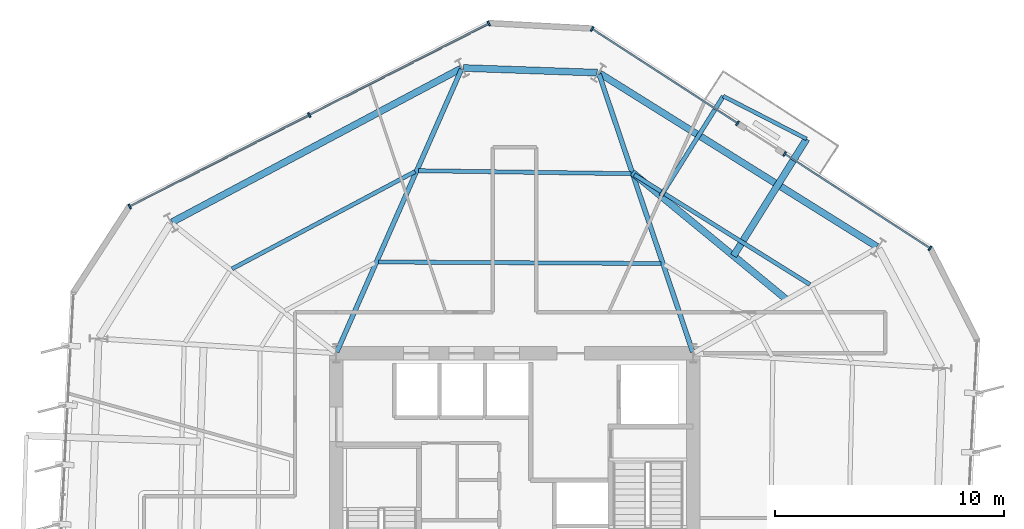
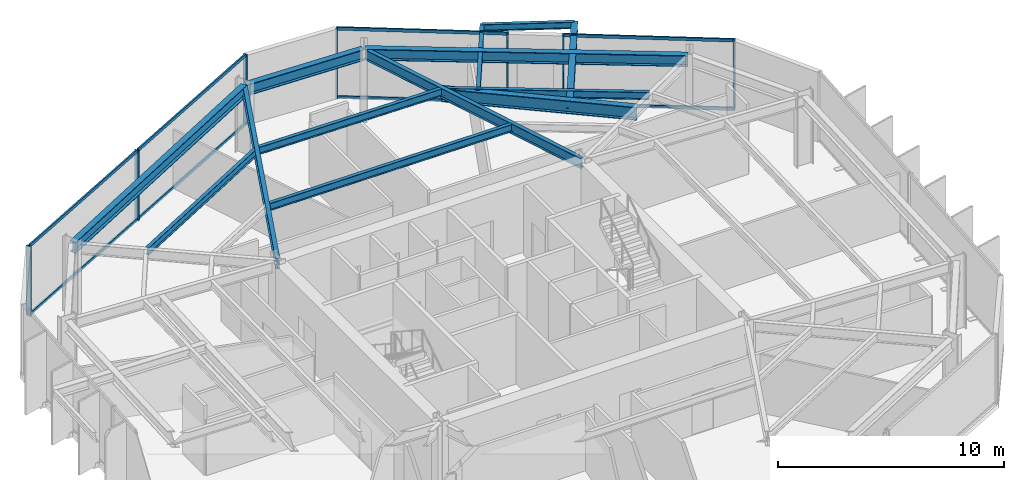
# One storey, part 5 of 10: 15 members, 13 beams, 3 elements without a shape of their own.
"""IFC4 building model written with IfcOpenShell, lengths in metres."""

import ifcopenshell
import ifcopenshell.guid

model = None  # the IFC model being written
_history = None  # IfcOwnerHistory: only IFC2X3 demands one
_inside = {}  # id of a spatial element -> (the spatial element, [elements in it])
_under = {}  # id of a project, library or spatial element -> (it, [spatial elements below it])
_declared = {}  # id of a project -> (the project, [libraries it declares])
_typed = {}  # id of a type object -> (the type object, [elements of that type])
_made_of = {}  # id of a material, layer set ... -> (it, [elements and type objects made of it])


def new_model(schema):
    """Start an empty IFC model of exactly this schema.

    Asked for "IFC4X3", IfcOpenShell would pick the latest addendum, in which some entities
    have other attributes; the version numbers below select the first issue.
    IFC2X3 requires an IfcOwnerHistory on every rooted entity: one is made here for all.
    """
    global model, _history
    if schema == "IFC4X3":
        model = ifcopenshell.file(schema_version=(4, 3, 0, 0))
    else:
        model = ifcopenshell.file(schema=schema)
    _inside.clear()
    _under.clear()
    _declared.clear()
    _typed.clear()
    _made_of.clear()
    _history = None
    if model.schema == "IFC2X3":
        org = make("IfcOrganization", Name="unknown")
        user = make(
            "IfcPersonAndOrganization",
            ThePerson=make("IfcPerson", FamilyName="unknown"),
            TheOrganization=org,
        )
        app = make(
            "IfcApplication",
            ApplicationDeveloper=org,
            Version="unknown",
            ApplicationFullName="unknown",
            ApplicationIdentifier="unknown",
        )
        _history = make(
            "IfcOwnerHistory",
            OwningUser=user,
            OwningApplication=app,
            ChangeAction="ADDED",
            CreationDate=0,
        )
    return model


def make(cls, **values):
    """One entity of the class cls with the attributes given. An attribute that is None is left unset."""
    return model.create_entity(
        cls, **{name: value for name, value in values.items() if value is not None}
    )


def rooted(cls, **values):
    """An entity with a GlobalId (a new one), such as an element, a storey or a relation."""
    return make(cls, GlobalId=ifcopenshell.guid.new(), OwnerHistory=_history, **values)


def si_unit(unit_type, name, prefix=None):
    """IfcSIUnit, for example si_unit("LENGTHUNIT", "METRE", prefix="MILLI")."""
    return make("IfcSIUnit", UnitType=unit_type, Prefix=prefix, Name=name)


def assignment(units):
    """IfcUnitAssignment: the units of a project."""
    return None if units is None else make("IfcUnitAssignment", Units=units)


def point(xyz):
    """IfcCartesianPoint."""
    return None if xyz is None else make("IfcCartesianPoint", Coordinates=xyz)


def direction(xyz):
    """IfcDirection."""
    return None if xyz is None else make("IfcDirection", DirectionRatios=xyz)


def frame(location, z_axis=None, x_axis=None):
    """IfcAxis2Placement3D, a coordinate frame: its origin and axes. An axis left out is left unset."""
    return make(
        "IfcAxis2Placement3D",
        Location=point(location),
        Axis=direction(z_axis),
        RefDirection=direction(x_axis),
    )


def frame_2d(location, x_axis=None):
    """IfcAxis2Placement2D, a coordinate frame in the plane: its origin and x axis."""
    return make(
        "IfcAxis2Placement2D", Location=point(location), RefDirection=direction(x_axis)
    )


def origin():
    """The frame at (0, 0, 0) with its axes left unset."""
    return frame((0.0, 0.0, 0.0))


def origin_2d():
    """The frame at (0, 0) in the plane with its x axis left unset."""
    return frame_2d((0.0, 0.0))


def place(relative_to, where):
    """IfcLocalPlacement: puts the frame where relative to a parent placement (None: the world)."""
    return make(
        "IfcLocalPlacement", PlacementRelTo=relative_to, RelativePlacement=where
    )


def context(
    kind, dimensions, precision=None, world=None, true_north=None, identifier=None
):
    """IfcGeometricRepresentationContext, for example the 3D "Model" context."""
    return make(
        "IfcGeometricRepresentationContext",
        ContextIdentifier=identifier,
        ContextType=kind,
        CoordinateSpaceDimension=dimensions,
        Precision=precision,
        WorldCoordinateSystem=world,
        TrueNorth=true_north,
    )


def subcontext(parent, identifier, kind, view, scale=None):
    """IfcGeometricRepresentationSubContext, for example "Body" below "Model"."""
    return make(
        "IfcGeometricRepresentationSubContext",
        ContextIdentifier=identifier,
        ContextType=kind,
        ParentContext=parent,
        TargetScale=scale,
        TargetView=view,
    )


def project(units=None, contexts=None):
    """IfcProject with its units and contexts."""
    return rooted(
        "IfcProject",
        Name="project",
        RepresentationContexts=contexts,
        UnitsInContext=assignment(units),
    )


def spatial(cls, under=None, at=None, **own):
    """A site, building, storey or space (cls), placed at a placement, below another one or the project."""
    s = rooted(cls, ObjectPlacement=at, **own)
    if under is not None:
        _under.setdefault(under.id(), (under, []))[1].append(s)
    return s


def profile(cls, at=None, kind="AREA", **sizes):
    """A parametric profile (cls). Its sizes go by their IFC names, for example OverallWidth=200.0."""
    return make(cls, ProfileType=kind, Position=at, **sizes)


def rectangle(**sizes):
    """IfcRectangleProfileDef."""
    return profile("IfcRectangleProfileDef", **sizes)


def i_section(**sizes):
    """IfcIShapeProfileDef."""
    return profile("IfcIShapeProfileDef", **sizes)


def extrude(swept, where, along, depth):
    """IfcExtrudedAreaSolid: the profile swept, set in the frame where, extruded along a direction by depth."""
    return make(
        "IfcExtrudedAreaSolid",
        SweptArea=swept,
        Position=where,
        ExtrudedDirection=direction(along),
        Depth=depth,
    )


def shape(context_of_items, identifier, shape_type, items):
    """IfcShapeRepresentation: the items that make up one representation, for example the "Body"."""
    return make(
        "IfcShapeRepresentation",
        ContextOfItems=context_of_items,
        RepresentationIdentifier=identifier,
        RepresentationType=shape_type,
        Items=items,
    )


def material(Name=None, Category=None):
    """IfcMaterial."""
    return make("IfcMaterial", Name=Name, Category=Category)


def layer(
    of_material, thickness, ventilated=None, Name=None, Category=None, Priority=None
):
    """IfcMaterialLayer: one layer of a wall or slab, of a material (None: an air gap)."""
    return make(
        "IfcMaterialLayer",
        Material=of_material,
        LayerThickness=thickness,
        IsVentilated=ventilated,
        Name=Name,
        Category=Category,
        Priority=Priority,
    )


def layer_set(layers, Name=None):
    """IfcMaterialLayerSet."""
    return make("IfcMaterialLayerSet", MaterialLayers=layers, LayerSetName=Name)


def material_profile(
    of_material, cross_section, Name=None, Category=None, Priority=None
):
    """IfcMaterialProfile: a cross section and its material."""
    return make(
        "IfcMaterialProfile",
        Name=Name,
        Material=of_material,
        Profile=cross_section,
        Priority=Priority,
        Category=Category,
    )


def profile_set(profiles, Name=None, composite=None):
    """IfcMaterialProfileSet."""
    return make(
        "IfcMaterialProfileSet",
        Name=Name,
        MaterialProfiles=profiles,
        CompositeProfile=composite,
    )


def made_of(thing, what):
    """Note that an element or type object is made of a material, layer set ...; save() writes the relation."""
    if what is not None:
        _made_of.setdefault(what.id(), (what, []))[1].append(thing)
    return thing


def type_object(cls, material=None, **own):
    """A type object (cls), such as IfcWallType, which elements share."""
    return made_of(rooted(cls, **own), material)


def element(
    cls,
    number,
    at=None,
    inside=None,
    cuts=None,
    type_object=None,
    material=None,
    context=None,
    identifier="Body",
    shape_type=None,
    held_by="IfcProductDefinitionShape",
    body=None,
    shapes=None,
    **own,
):
    """One element of the class cls, such as IfcWall. Its Tag is "e" and its number.

    at: its placement. inside: the storey or other place that contains it. cuts: it is an
    opening in that element (IfcRelVoidsElement). A single representation is given by context,
    identifier, shape_type and body (its items); several are given by shapes. held_by: the class
    of the entity that holds the representations. save() writes the other relations.
    """
    e = rooted(cls, Tag="e%d" % number, ObjectPlacement=at, **own)
    if body is not None:
        shapes = [shape(context, identifier, shape_type, body)]
    if shapes is not None:
        e.Representation = make(held_by, Representations=shapes)
    if inside is not None:
        _inside.setdefault(inside.id(), (inside, []))[1].append(e)
    if cuts is not None:
        rooted(
            "IfcRelVoidsElement", RelatingBuildingElement=cuts, RelatedOpeningElement=e
        )
    if type_object is not None:
        _typed.setdefault(type_object.id(), (type_object, []))[1].append(e)
    return made_of(e, material)


def aggregate(whole, parts):
    """IfcRelAggregates: a whole, such as a stair, and the parts it consists of."""
    return rooted("IfcRelAggregates", RelatingObject=whole, RelatedObjects=parts)


def save(model, path):
    """Write the relations noted so far, then the file.

    IfcRelAggregates (storeys below a building ...), IfcRelContainedInSpatialStructure (elements
    in a storey), IfcRelDefinesByType, IfcRelAssociatesMaterial and IfcRelDeclares: one each for
    every whole, place, type object, material and project.
    """
    for whole, parts in _under.values():
        aggregate(whole, parts)
    for where, things in _inside.values():
        rooted(
            "IfcRelContainedInSpatialStructure",
            RelatedElements=things,
            RelatingStructure=where,
        )
    for kind, things in _typed.values():
        rooted("IfcRelDefinesByType", RelatedObjects=things, RelatingType=kind)
    for what, things in _made_of.values():
        rooted("IfcRelAssociatesMaterial", RelatedObjects=things, RelatingMaterial=what)
    for by, libraries in _declared.values():
        rooted("IfcRelDeclares", RelatingContext=by, RelatedDefinitions=libraries)
    model.write(path)


model = new_model("IFC4")

# Units and contexts
model_context = context("Model", 3, precision=1e-05, world=origin(), true_north=direction((0.0, 1.0)))
body_context = subcontext(model_context, "Body", "Model", "MODEL_VIEW")
ifc_project = project(units=[si_unit("LENGTHUNIT", "METRE"), si_unit("AREAUNIT", "SQUARE_METRE"), si_unit("VOLUMEUNIT", "CUBIC_METRE"), si_unit("PLANEANGLEUNIT", "RADIAN"), si_unit("MASSUNIT", "GRAM", prefix="KILO")], contexts=[model_context])

# Site, building, storey
site_placement = place(None, origin())
site = spatial("IfcSite", under=ifc_project, at=site_placement, CompositionType="ELEMENT")
building_placement = place(site_placement, origin())
building = spatial("IfcBuilding", under=site, at=building_placement, Name="Kranzbogen Civic Tower", CompositionType="ELEMENT")
storey_placement = place(building_placement, frame((0.0, 0.0, 130.39990234375)))
storey = spatial("IfcBuildingStorey", under=building, at=storey_placement, Name="L31", CompositionType="ELEMENT", Elevation=130.39990234375)

# Beam
ifc_material_1 = material(Name="Steel S355", Category="steel")
ifc_material_profile_1 = material_profile(ifc_material_1, i_section(OverallWidth=0.18994140625, OverallDepth=0.449951171875, WebThickness=0.009521484375, FlangeThickness=0.0146484375, at=origin_2d()), Name="IPE 450")
ifc_profile_set_1 = profile_set([ifc_material_profile_1], Name="Steel S355")
beam_type_1 = type_object("IfcBeamType", Name="Braced Terrace Edge Beam IPE 450", PredefinedType="BEAM", material=ifc_profile_set_1)
beam_1_placement = place(storey_placement, frame((31.388916015625, 39.073974609375, 3.525146484375), z_axis=(0.52998614975, 0.848006297779, 0.0), x_axis=(-0.848006297779, 0.52998614975, 0.0)))
element("IfcBeam", 1, at=beam_1_placement, inside=storey, type_object=beam_type_1, Name="L32 back-spanned terrace beam L32-TB1-2", PredefinedType="BEAM", context=body_context, shape_type="SweptSolid", body=[
    extrude(i_section(OverallWidth=0.18994140625, OverallDepth=0.449951171875, WebThickness=0.009521484375, FlangeThickness=0.0146484375, at=origin_2d()), origin(), (0.0, 0.0, 1.0), 5.1474609375),
])

# Curtain wall, members
ifc_material_2 = material(Name="Pale Anodised Aluminium", Category="aluminium")
ifc_layer = layer(ifc_material_2, 0.219970703125, Name="Pale Anodised Aluminium")
ifc_layer_set = layer_set([ifc_layer], Name="Pale Anodised Aluminium")
curtain_wall_type = type_object("IfcCurtainWallType", Name="Zone 2 Stick Curtain Wall System CW-03", PredefinedType="USERDEFINED", material=ifc_layer_set)
curtain_wall_1_placement = place(storey_placement, origin())
curtain_wall_1 = element("IfcCurtainWall", 2, at=curtain_wall_1_placement, inside=storey, type_object=curtain_wall_type, Name="L31 curtain wall CW-L31-F1-S1", ObjectType="STICK CURTAIN WALL", PredefinedType="USERDEFINED")
ifc_material_profile_2 = material_profile(ifc_material_2, rectangle(XDim=0.074951171875, YDim=0.219970703125, at=origin_2d()), Name="ALU-M 75x220")
ifc_profile_set_2 = profile_set([ifc_material_profile_2], Name="Pale Anodised Aluminium")
member_type_1 = type_object("IfcMemberType", Name="Curtain Wall Mullion ALU-M 75x220", PredefinedType="MULLION", material=ifc_profile_set_2)
member_1_placement = place(storey_placement, frame((43.15185546875, 36.787353515625, 0.0), z_axis=(0.0, 0.0, 1.0), x_axis=(-0.838641092332, 0.544684420791, 0.0)))
member_1 = element("IfcMember", 3, at=member_1_placement, type_object=member_type_1, Name="CW-03 mullion 1", PredefinedType="MULLION", context=body_context, shape_type="SweptSolid", body=[
    extrude(rectangle(XDim=0.074951171875, YDim=0.219970703125, at=origin_2d()), origin(), (0.0, 0.0, 1.0), 3.760009765625),
])
member_2_placement = place(storey_placement, frame((36.800048828125, 40.91259765625, 0.0), z_axis=(0.0, 0.0, 1.0), x_axis=(-0.838641092332, 0.544684420791, 0.0)))
member_2 = element("IfcMember", 4, at=member_2_placement, type_object=member_type_1, Name="CW-03 mullion 2", PredefinedType="MULLION", context=body_context, shape_type="SweptSolid", body=[
    extrude(rectangle(XDim=0.074951171875, YDim=0.219970703125, at=origin_2d()), origin(), (0.0, 0.0, 1.0), 3.760009765625),
])

curtain_wall_2_placement = place(storey_placement, origin())
curtain_wall_2 = element("IfcCurtainWall", 5, at=curtain_wall_2_placement, inside=storey, type_object=curtain_wall_type, Name="L31 curtain wall CW-L31-F1-S2", ObjectType="STICK CURTAIN WALL", PredefinedType="USERDEFINED")
member_3_placement = place(storey_placement, frame((34.73681640625, 42.25244140625, 0.0), z_axis=(0.0, 0.0, 1.0), x_axis=(-0.838641092332, 0.544684420791, 0.0)))
member_3 = element("IfcMember", 6, at=member_3_placement, type_object=member_type_1, Name="CW-03 mullion 1", PredefinedType="MULLION", context=body_context, shape_type="SweptSolid", body=[
    extrude(rectangle(XDim=0.074951171875, YDim=0.219970703125, at=origin_2d()), origin(), (0.0, 0.0, 1.0), 3.760009765625),
])
member_4_placement = place(storey_placement, frame((28.38525390625, 46.377685546875, 0.0), z_axis=(0.0, 0.0, 1.0), x_axis=(-0.838641092332, 0.544684420791, 0.0)))
member_4 = element("IfcMember", 7, at=member_4_placement, type_object=member_type_1, Name="CW-03 mullion 2", PredefinedType="MULLION", context=body_context, shape_type="SweptSolid", body=[
    extrude(rectangle(XDim=0.074951171875, YDim=0.219970703125, at=origin_2d()), origin(), (0.0, 0.0, 1.0), 3.760009765625),
])

curtain_wall_3_placement = place(storey_placement, origin())
curtain_wall_3 = element("IfcCurtainWall", 8, at=curtain_wall_3_placement, inside=storey, type_object=curtain_wall_type, Name="L31 curtain wall CW-L31-F2", ObjectType="STICK CURTAIN WALL", PredefinedType="USERDEFINED")
member_5_placement = place(storey_placement, frame((23.8681640625, 46.614501953125, 0.0), z_axis=(0.0, 0.0, 1.0), x_axis=(-0.891017035872, -0.453969868809, 0.0)))
member_5 = element("IfcMember", 9, at=member_5_placement, type_object=member_type_1, Name="CW-03 mullion 1", PredefinedType="MULLION", context=body_context, shape_type="SweptSolid", body=[
    extrude(rectangle(XDim=0.074951171875, YDim=0.219970703125, at=origin_2d()), origin(), (0.0, 0.0, 1.0), 3.760009765625),
])
member_6_placement = place(storey_placement, frame((16.0234375, 42.617431640625, 0.0), z_axis=(0.0, 0.0, 1.0), x_axis=(-0.891017035872, -0.453969868809, 0.0)))
member_6 = element("IfcMember", 10, at=member_6_placement, type_object=member_type_1, Name="CW-03 mullion 2", PredefinedType="MULLION", context=body_context, shape_type="SweptSolid", body=[
    extrude(rectangle(XDim=0.074951171875, YDim=0.219970703125, at=origin_2d()), origin(), (0.0, 0.0, 1.0), 3.760009765625),
])
member_7_placement = place(storey_placement, frame((8.1787109375, 38.62060546875, 0.0), z_axis=(0.0, 0.0, 1.0), x_axis=(-0.891017035872, -0.453969868809, 0.0)))
member_7 = element("IfcMember", 11, at=member_7_placement, type_object=member_type_1, Name="CW-03 mullion 3", PredefinedType="MULLION", context=body_context, shape_type="SweptSolid", body=[
    extrude(rectangle(XDim=0.074951171875, YDim=0.219970703125, at=origin_2d()), origin(), (0.0, 0.0, 1.0), 3.760009765625),
])

# Member
ifc_material_profile_3 = material_profile(ifc_material_2, rectangle(XDim=0.074951171875, YDim=0.1650390625, at=origin_2d()), Name="ALU-T 75x165")
ifc_profile_set_3 = profile_set([ifc_material_profile_3], Name="Pale Anodised Aluminium")
member_type_2 = type_object("IfcMemberType", Name="Curtain Wall Transom ALU-T 75x165", PredefinedType="USERDEFINED", material=ifc_profile_set_3)
member_8_placement = place(storey_placement, frame((43.126708984375, 36.8037109375, 0.030029296875), z_axis=(-0.838643999637, 0.544679944437, 0.0), x_axis=(-0.544679944437, -0.838643999637, 0.0)))
member_8 = element("IfcMember", 12, at=member_8_placement, type_object=member_type_2, Name="CW-03 transom 1.1", ObjectType="TRANSOM", PredefinedType="USERDEFINED", context=body_context, shape_type="SweptSolid", body=[
    extrude(rectangle(XDim=0.074951171875, YDim=0.1650390625, at=origin_2d()), origin(), (0.0, 0.0, 1.0), 7.513671875),
])

member_9_placement = place(storey_placement, frame((43.126708984375, 36.8037109375, 3.72998046875), z_axis=(-0.838643999637, 0.544679944437, 0.0), x_axis=(-0.544679944437, -0.838643999637, 0.0)))
member_9 = element("IfcMember", 13, at=member_9_placement, type_object=member_type_2, Name="CW-03 transom 1.2", ObjectType="TRANSOM", PredefinedType="USERDEFINED", context=body_context, shape_type="SweptSolid", body=[
    extrude(rectangle(XDim=0.074951171875, YDim=0.1650390625, at=origin_2d()), origin(), (0.0, 0.0, 1.0), 7.513671875),
])

aggregate(curtain_wall_1, [member_1, member_2, member_8, member_9])

member_10_placement = place(storey_placement, frame((34.711669921875, 42.268798828125, 0.030029296875), z_axis=(-0.838643999637, 0.544679944437, 0.0), x_axis=(-0.544679944437, -0.838643999637, 0.0)))
member_10 = element("IfcMember", 14, at=member_10_placement, type_object=member_type_2, Name="CW-03 transom 1.1", ObjectType="TRANSOM", PredefinedType="USERDEFINED", context=body_context, shape_type="SweptSolid", body=[
    extrude(rectangle(XDim=0.074951171875, YDim=0.1650390625, at=origin_2d()), origin(), (0.0, 0.0, 1.0), 7.513671875),
])

member_11_placement = place(storey_placement, frame((34.711669921875, 42.268798828125, 3.72998046875), z_axis=(-0.838643999637, 0.544679944437, 0.0), x_axis=(-0.544679944437, -0.838643999637, 0.0)))
member_11 = element("IfcMember", 15, at=member_11_placement, type_object=member_type_2, Name="CW-03 transom 1.2", ObjectType="TRANSOM", PredefinedType="USERDEFINED", context=body_context, shape_type="SweptSolid", body=[
    extrude(rectangle(XDim=0.074951171875, YDim=0.1650390625, at=origin_2d()), origin(), (0.0, 0.0, 1.0), 7.513671875),
])

aggregate(curtain_wall_2, [member_3, member_4, member_10, member_11])

member_12_placement = place(storey_placement, frame((23.841552734375, 46.600830078125, 0.030029296875), z_axis=(-0.891012009224, -0.45397973459, 0.0), x_axis=(0.45397973459, -0.891012009224, 0.0)))
member_12 = element("IfcMember", 16, at=member_12_placement, type_object=member_type_2, Name="CW-03 transom 1.1", ObjectType="TRANSOM", PredefinedType="USERDEFINED", context=body_context, shape_type="SweptSolid", body=[
    extrude(rectangle(XDim=0.074951171875, YDim=0.1650390625, at=origin_2d()), origin(), (0.0, 0.0, 1.0), 8.744384765625),
])

member_13_placement = place(storey_placement, frame((23.841552734375, 46.600830078125, 3.72998046875), z_axis=(-0.891012009224, -0.45397973459, 0.0), x_axis=(0.45397973459, -0.891012009224, 0.0)))
member_13 = element("IfcMember", 17, at=member_13_placement, type_object=member_type_2, Name="CW-03 transom 1.2", ObjectType="TRANSOM", PredefinedType="USERDEFINED", context=body_context, shape_type="SweptSolid", body=[
    extrude(rectangle(XDim=0.074951171875, YDim=0.1650390625, at=origin_2d()), origin(), (0.0, 0.0, 1.0), 8.744384765625),
])

member_14_placement = place(storey_placement, frame((15.996826171875, 42.603759765625, 0.030029296875), z_axis=(-0.891023302784, -0.453957568388, 0.0), x_axis=(0.453957568388, -0.891023302784, 0.0)))
member_14 = element("IfcMember", 18, at=member_14_placement, type_object=member_type_2, Name="CW-03 transom 2.1", ObjectType="TRANSOM", PredefinedType="USERDEFINED", context=body_context, shape_type="SweptSolid", body=[
    extrude(rectangle(XDim=0.074951171875, YDim=0.1650390625, at=origin_2d()), origin(), (0.0, 0.0, 1.0), 8.744140625),
])

member_15_placement = place(storey_placement, frame((15.996826171875, 42.603759765625, 3.72998046875), z_axis=(-0.891023302784, -0.453957568388, 0.0), x_axis=(0.453957568388, -0.891023302784, 0.0)))
member_15 = element("IfcMember", 19, at=member_15_placement, type_object=member_type_2, Name="CW-03 transom 2.2", ObjectType="TRANSOM", PredefinedType="USERDEFINED", context=body_context, shape_type="SweptSolid", body=[
    extrude(rectangle(XDim=0.074951171875, YDim=0.1650390625, at=origin_2d()), origin(), (0.0, 0.0, 1.0), 8.744140625),
])

aggregate(curtain_wall_3, [member_5, member_6, member_7, member_12, member_13, member_14, member_15])

# Beams
ifc_material_profile_4 = material_profile(ifc_material_1, i_section(OverallWidth=0.300048828125, OverallDepth=0.5, WebThickness=0.014404296875, FlangeThickness=0.028076171875, at=origin_2d()), Name="HEB 500")
ifc_profile_set_4 = profile_set([ifc_material_profile_4], Name="Steel S355")
beam_type_2 = type_object("IfcBeamType", Name="Perimeter Tube Spandrel Beam HEB 500", PredefinedType="SPANDREL", material=ifc_profile_set_4)
beam_2_placement = place(storey_placement, frame((34.56591796875, 36.4599609375, 3.5), z_axis=(0.529988012662, 0.848005133495, 0.0), x_axis=(-0.848005133495, 0.529988012662, 0.0)))
element("IfcBeam", 20, at=beam_2_placement, inside=storey, type_object=beam_type_2, Name="L32 back-spanned terrace beam L32-TB1-1", PredefinedType="SPANDREL", context=body_context, shape_type="SweptSolid", body=[
    extrude(i_section(OverallWidth=0.300048828125, OverallDepth=0.5, WebThickness=0.014404296875, FlangeThickness=0.028076171875, at=origin_2d()), origin(), (0.0, 0.0, 1.0), 6.02490234375),
])
ifc_material_profile_5 = material_profile(ifc_material_1, i_section(OverallWidth=0.300048828125, OverallDepth=0.60009765625, WebThickness=0.015380859375, FlangeThickness=0.030029296875, at=origin_2d()), Name="HEB 600")
ifc_profile_set_5 = profile_set([ifc_material_profile_5], Name="Steel S355")
beam_type_3 = type_object("IfcBeamType", Name="Perimeter Tube Spandrel Beam HEB 600", PredefinedType="SPANDREL", material=ifc_profile_set_5)
beam_3_placement = place(storey_placement, frame((40.8349609375, 36.861083984375, 3.460205078125), z_axis=(-0.848051101349, 0.52991445489, 0.0), x_axis=(-0.52991445489, -0.848051101349, 0.0)))
element("IfcBeam", 21, at=beam_3_placement, inside=storey, type_object=beam_type_3, Name="L31 perimeter spandrel beam 08", PredefinedType="SPANDREL", context=body_context, shape_type="SweptSolid", body=[
    extrude(i_section(OverallWidth=0.300048828125, OverallDepth=0.60009765625, WebThickness=0.015380859375, FlangeThickness=0.030029296875, at=origin_2d()), origin(), (0.0, 0.0, 1.0), 14.286865234375),
])
beam_4_placement = place(storey_placement, frame((28.60791015625, 44.466064453125, 3.460205078125), z_axis=(-0.999393148233, 0.03483296234, 0.0), x_axis=(-0.03483296234, -0.999393148233, 0.0)))
element("IfcBeam", 22, at=beam_4_placement, inside=storey, type_object=beam_type_3, Name="L31 perimeter spandrel beam 09", PredefinedType="SPANDREL", context=body_context, shape_type="SweptSolid", body=[
    extrude(i_section(OverallWidth=0.300048828125, OverallDepth=0.60009765625, WebThickness=0.015380859375, FlangeThickness=0.030029296875, at=origin_2d()), origin(), (0.0, 0.0, 1.0), 5.8525390625),
])
beam_5_placement = place(storey_placement, frame((22.64599609375, 44.64404296875, 3.460205078125), z_axis=(-0.882948194046, -0.469470432116, 0.0), x_axis=(0.469470432116, -0.882948194046, 0.0)))
element("IfcBeam", 23, at=beam_5_placement, inside=storey, type_object=beam_type_3, Name="L31 perimeter spandrel beam 10", PredefinedType="SPANDREL", context=body_context, shape_type="SweptSolid", body=[
    extrude(i_section(OverallWidth=0.300048828125, OverallDepth=0.60009765625, WebThickness=0.015380859375, FlangeThickness=0.030029296875, at=origin_2d()), origin(), (0.0, 0.0, 1.0), 14.28857421875),
])
ifc_material_profile_6 = material_profile(ifc_material_1, i_section(OverallWidth=0.300048828125, OverallDepth=0.699951171875, WebThickness=0.01708984375, FlangeThickness=0.031982421875, at=origin_2d()), Name="HEB 700")
ifc_profile_set_6 = profile_set([ifc_material_profile_6], Name="Steel S355")
beam_type_4 = type_object("IfcBeamType", Name="Perimeter Tube Spandrel Beam HEB 700", PredefinedType="SPANDREL", material=ifc_profile_set_6)
beam_6_placement = place(storey_placement, frame((36.89404296875, 34.5439453125, 3.400146484375), z_axis=(-0.772133132713, 0.635460797663, 0.0), x_axis=(-0.635460797663, -0.772133132713, 0.0)))
element("IfcBeam", 24, at=beam_6_placement, inside=storey, type_object=beam_type_4, Name="L32 balcony back-span header girder L32-TB1", PredefinedType="SPANDREL", context=body_context, shape_type="SweptSolid", body=[
    extrude(i_section(OverallWidth=0.300048828125, OverallDepth=0.699951171875, WebThickness=0.01708984375, FlangeThickness=0.031982421875, at=origin_2d()), origin(), (0.0, 0.0, 1.0), 8.751220703125),
])
ifc_material_profile_7 = material_profile(ifc_material_1, i_section(OverallWidth=0.2099609375, OverallDepth=0.550048828125, WebThickness=0.010986328125, FlangeThickness=0.01708984375, at=origin_2d()), Name="IPE 550")
ifc_profile_set_7 = profile_set([ifc_material_profile_7], Name="Steel S355")
beam_type_5 = type_object("IfcBeamType", Name="Radial Tower Floor Girder IPE 550", PredefinedType="BEAM", material=ifc_profile_set_7)
beam_7_placement = place(storey_placement, frame((28.68701171875, 44.406982421875, 3.485107421875), z_axis=(0.319316617377, -0.947648087566, 0.0), x_axis=(0.947648087566, 0.319316617377, 0.0)))
element("IfcBeam", 25, at=beam_7_placement, inside=storey, type_object=beam_type_5, Name="L31 radial floor girder 09", PredefinedType="BEAM", context=body_context, shape_type="SweptSolid", body=[
    extrude(i_section(OverallWidth=0.2099609375, OverallDepth=0.550048828125, WebThickness=0.010986328125, FlangeThickness=0.01708984375, at=origin_2d()), origin(), (0.0, 0.0, 1.0), 12.821044921875),
])
beam_8_placement = place(storey_placement, frame((22.675048828125, 44.616943359375, 3.485107421875), z_axis=(-0.403459127705, -0.914997667905, 0.0), x_axis=(0.914997667905, -0.403459127705, 0.0)))
element("IfcBeam", 26, at=beam_8_placement, inside=storey, type_object=beam_type_5, Name="L31 radial floor girder 10", PredefinedType="BEAM", context=body_context, shape_type="SweptSolid", body=[
    extrude(i_section(OverallWidth=0.2099609375, OverallDepth=0.550048828125, WebThickness=0.010986328125, FlangeThickness=0.01708984375, at=origin_2d()), origin(), (0.0, 0.0, 1.0), 13.510498046875),
])
ifc_material_profile_8 = material_profile(ifc_material_1, i_section(OverallWidth=0.169921875, OverallDepth=0.360107421875, WebThickness=0.008056640625, FlangeThickness=0.0126953125, at=origin_2d()), Name="IPE 360")
ifc_profile_set_8 = profile_set([ifc_material_profile_8], Name="Steel S355")
beam_type_6 = type_object("IfcBeamType", Name="Secondary Composite Floor Joist IPE 360", PredefinedType="JOIST", material=ifc_profile_set_8)
beam_9_placement = place(storey_placement, frame((37.759033203125, 41.569091796875, 3.570068359375), z_axis=(-0.889605655791, 0.456729435427, 0.0), x_axis=(-0.456729435427, -0.889605655791, 0.0)))
element("IfcBeam", 27, at=beam_9_placement, inside=storey, type_object=beam_type_6, Name="L32 terrace outer edge trimmer L32-TB1", PredefinedType="JOIST", context=body_context, shape_type="SweptSolid", body=[
    extrude(i_section(OverallWidth=0.169921875, OverallDepth=0.360107421875, WebThickness=0.008056640625, FlangeThickness=0.0126953125, at=origin_2d()), origin(), (0.0, 0.0, 1.0), 4.093994140625),
])
ifc_material_profile_9 = material_profile(ifc_material_1, i_section(OverallWidth=0.179931640625, OverallDepth=0.39990234375, WebThickness=0.008544921875, FlangeThickness=0.013427734375, at=origin_2d()), Name="IPE 400")
ifc_profile_set_9 = profile_set([ifc_material_profile_9], Name="Steel S355")
beam_type_7 = type_object("IfcBeamType", Name="Secondary Composite Floor Joist IPE 400", PredefinedType="JOIST", material=ifc_profile_set_9)
beam_10_placement = place(storey_placement, frame((37.906982421875, 35.205078125, 3.56005859375), z_axis=(-0.848025549308, 0.529955345026, 0.0), x_axis=(-0.529955345026, -0.848025549308, 0.0)))
element("IfcBeam", 28, at=beam_10_placement, inside=storey, type_object=beam_type_7, Name="L31 secondary floor joist 1.08", PredefinedType="JOIST", context=body_context, shape_type="SweptSolid", body=[
    extrude(i_section(OverallWidth=0.179931640625, OverallDepth=0.39990234375, WebThickness=0.008544921875, FlangeThickness=0.013427734375, at=origin_2d()), origin(), (0.0, 0.0, 1.0), 9.06103515625),
])
beam_11_placement = place(storey_placement, frame((30.075927734375, 40.050048828125, 3.56005859375), z_axis=(-0.999900525148, 0.014104602386, 0.0), x_axis=(-0.014104602386, -0.999900525148, 0.0)))
element("IfcBeam", 29, at=beam_11_placement, inside=storey, type_object=beam_type_7, Name="L31 secondary floor joist 1.09", PredefinedType="JOIST", context=body_context, shape_type="SweptSolid", body=[
    extrude(i_section(OverallWidth=0.179931640625, OverallDepth=0.39990234375, WebThickness=0.008544921875, FlangeThickness=0.013427734375, at=origin_2d()), origin(), (0.0, 0.0, 1.0), 9.27783203125),
])
beam_12_placement = place(storey_placement, frame((31.39794921875, 36.125, 3.56005859375), z_axis=(-0.999985774147, 0.005333995002, 0.0), x_axis=(-0.005333995002, -0.999985774147, 0.0)))
element("IfcBeam", 30, at=beam_12_placement, inside=storey, type_object=beam_type_7, Name="L31 secondary floor joist 2.09", PredefinedType="JOIST", context=body_context, shape_type="SweptSolid", body=[
    extrude(i_section(OverallWidth=0.179931640625, OverallDepth=0.39990234375, WebThickness=0.008544921875, FlangeThickness=0.013427734375, at=origin_2d()), origin(), (0.0, 0.0, 1.0), 12.358154296875),
])
beam_13_placement = place(storey_placement, frame((20.64892578125, 40.14501953125, 3.56005859375), z_axis=(-0.882960787661, -0.469446746131, 0.0), x_axis=(0.469446746131, -0.882960787661, 0.0)))
element("IfcBeam", 31, at=beam_13_placement, inside=storey, type_object=beam_type_7, Name="L31 secondary floor joist 1.10", PredefinedType="JOIST", context=body_context, shape_type="SweptSolid", body=[
    extrude(i_section(OverallWidth=0.179931640625, OverallDepth=0.39990234375, WebThickness=0.008544921875, FlangeThickness=0.013427734375, at=origin_2d()), origin(), (0.0, 0.0, 1.0), 9.0615234375),
])

save(model, "model.ifc")
